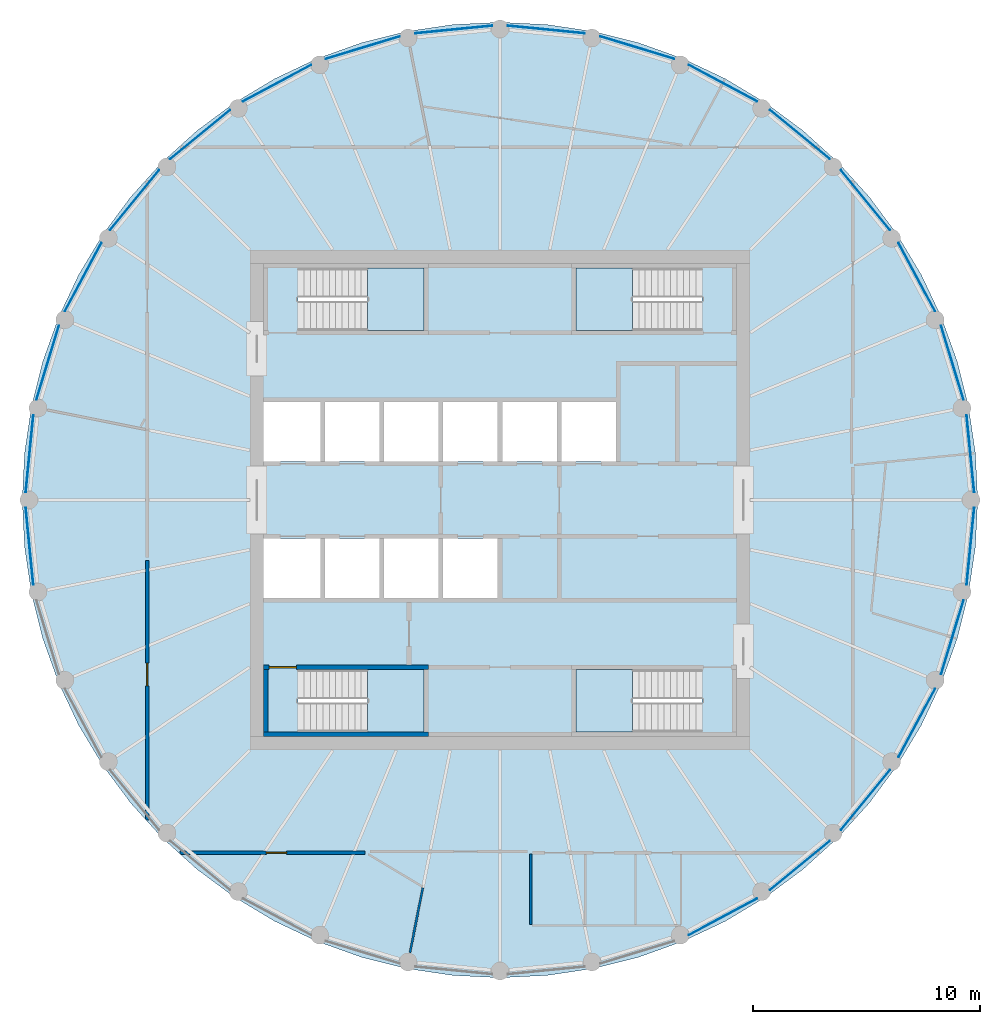
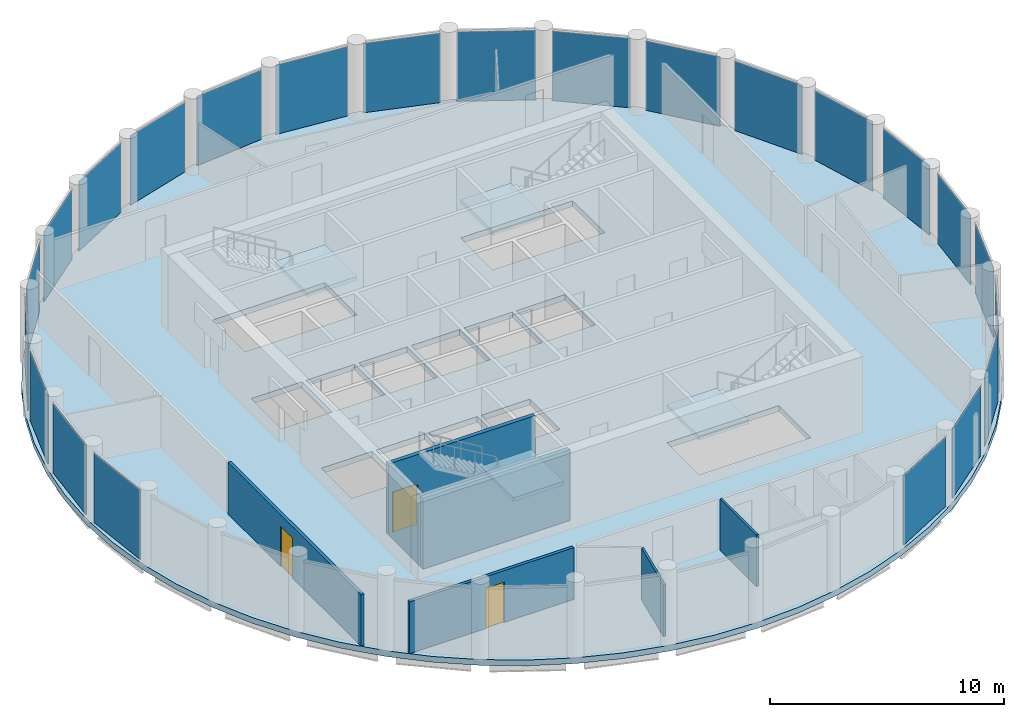
# One storey, part 3 of 7: 23 plates, 7 walls, 5 slabs, 3 doors, 3 openings, 27 elements without a shape of their own.
"""IFC4 building model written with IfcOpenShell, lengths in metres."""

import ifcopenshell
import ifcopenshell.guid

model = None  # the IFC model being written
_history = None  # IfcOwnerHistory: only IFC2X3 demands one
_inside = {}  # id of a spatial element -> (the spatial element, [elements in it])
_under = {}  # id of a project, library or spatial element -> (it, [spatial elements below it])
_declared = {}  # id of a project -> (the project, [libraries it declares])
_typed = {}  # id of a type object -> (the type object, [elements of that type])
_made_of = {}  # id of a material, layer set ... -> (it, [elements and type objects made of it])


def new_model(schema):
    """Start an empty IFC model of exactly this schema.

    Asked for "IFC4X3", IfcOpenShell would pick the latest addendum, in which some entities
    have other attributes; the version numbers below select the first issue.
    IFC2X3 requires an IfcOwnerHistory on every rooted entity: one is made here for all.
    """
    global model, _history
    if schema == "IFC4X3":
        model = ifcopenshell.file(schema_version=(4, 3, 0, 0))
    else:
        model = ifcopenshell.file(schema=schema)
    _inside.clear()
    _under.clear()
    _declared.clear()
    _typed.clear()
    _made_of.clear()
    _history = None
    if model.schema == "IFC2X3":
        org = make("IfcOrganization", Name="unknown")
        user = make(
            "IfcPersonAndOrganization",
            ThePerson=make("IfcPerson", FamilyName="unknown"),
            TheOrganization=org,
        )
        app = make(
            "IfcApplication",
            ApplicationDeveloper=org,
            Version="unknown",
            ApplicationFullName="unknown",
            ApplicationIdentifier="unknown",
        )
        _history = make(
            "IfcOwnerHistory",
            OwningUser=user,
            OwningApplication=app,
            ChangeAction="ADDED",
            CreationDate=0,
        )
    return model


def make(cls, **values):
    """One entity of the class cls with the attributes given. An attribute that is None is left unset."""
    return model.create_entity(
        cls, **{name: value for name, value in values.items() if value is not None}
    )


def rooted(cls, **values):
    """An entity with a GlobalId (a new one), such as an element, a storey or a relation."""
    return make(cls, GlobalId=ifcopenshell.guid.new(), OwnerHistory=_history, **values)


def si_unit(unit_type, name, prefix=None):
    """IfcSIUnit, for example si_unit("LENGTHUNIT", "METRE", prefix="MILLI")."""
    return make("IfcSIUnit", UnitType=unit_type, Prefix=prefix, Name=name)


def assignment(units):
    """IfcUnitAssignment: the units of a project."""
    return None if units is None else make("IfcUnitAssignment", Units=units)


def point(xyz):
    """IfcCartesianPoint."""
    return None if xyz is None else make("IfcCartesianPoint", Coordinates=xyz)


def direction(xyz):
    """IfcDirection."""
    return None if xyz is None else make("IfcDirection", DirectionRatios=xyz)


def frame(location, z_axis=None, x_axis=None):
    """IfcAxis2Placement3D, a coordinate frame: its origin and axes. An axis left out is left unset."""
    return make(
        "IfcAxis2Placement3D",
        Location=point(location),
        Axis=direction(z_axis),
        RefDirection=direction(x_axis),
    )


def frame_2d(location, x_axis=None):
    """IfcAxis2Placement2D, a coordinate frame in the plane: its origin and x axis."""
    return make(
        "IfcAxis2Placement2D", Location=point(location), RefDirection=direction(x_axis)
    )


def origin():
    """The frame at (0, 0, 0) with its axes left unset."""
    return frame((0.0, 0.0, 0.0))


def origin_2d():
    """The frame at (0, 0) in the plane with its x axis left unset."""
    return frame_2d((0.0, 0.0))


def place(relative_to, where):
    """IfcLocalPlacement: puts the frame where relative to a parent placement (None: the world)."""
    return make(
        "IfcLocalPlacement", PlacementRelTo=relative_to, RelativePlacement=where
    )


def context(
    kind, dimensions, precision=None, world=None, true_north=None, identifier=None
):
    """IfcGeometricRepresentationContext, for example the 3D "Model" context."""
    return make(
        "IfcGeometricRepresentationContext",
        ContextIdentifier=identifier,
        ContextType=kind,
        CoordinateSpaceDimension=dimensions,
        Precision=precision,
        WorldCoordinateSystem=world,
        TrueNorth=true_north,
    )


def subcontext(parent, identifier, kind, view, scale=None):
    """IfcGeometricRepresentationSubContext, for example "Body" below "Model"."""
    return make(
        "IfcGeometricRepresentationSubContext",
        ContextIdentifier=identifier,
        ContextType=kind,
        ParentContext=parent,
        TargetScale=scale,
        TargetView=view,
    )


def project(units=None, contexts=None):
    """IfcProject with its units and contexts."""
    return rooted(
        "IfcProject",
        Name="project",
        RepresentationContexts=contexts,
        UnitsInContext=assignment(units),
    )


def spatial(cls, under=None, at=None, **own):
    """A site, building, storey or space (cls), placed at a placement, below another one or the project."""
    s = rooted(cls, ObjectPlacement=at, **own)
    if under is not None:
        _under.setdefault(under.id(), (under, []))[1].append(s)
    return s


def polyline(points):
    """IfcPolyline through the points."""
    return make("IfcPolyline", Points=[point(p) for p in points])


def profile(cls, at=None, kind="AREA", **sizes):
    """A parametric profile (cls). Its sizes go by their IFC names, for example OverallWidth=200.0."""
    return make(cls, ProfileType=kind, Position=at, **sizes)


def rectangle(**sizes):
    """IfcRectangleProfileDef."""
    return profile("IfcRectangleProfileDef", **sizes)


def outline(outer, holes=None, kind="AREA"):
    """IfcArbitraryClosedProfileDef: a profile drawn as a closed curve; with holes, ...WithVoids."""
    if holes is None:
        return make("IfcArbitraryClosedProfileDef", ProfileType=kind, OuterCurve=outer)
    return make(
        "IfcArbitraryProfileDefWithVoids",
        ProfileType=kind,
        OuterCurve=outer,
        InnerCurves=holes,
    )


def extrude(swept, where, along, depth):
    """IfcExtrudedAreaSolid: the profile swept, set in the frame where, extruded along a direction by depth."""
    return make(
        "IfcExtrudedAreaSolid",
        SweptArea=swept,
        Position=where,
        ExtrudedDirection=direction(along),
        Depth=depth,
    )


def shape(context_of_items, identifier, shape_type, items):
    """IfcShapeRepresentation: the items that make up one representation, for example the "Body"."""
    return make(
        "IfcShapeRepresentation",
        ContextOfItems=context_of_items,
        RepresentationIdentifier=identifier,
        RepresentationType=shape_type,
        Items=items,
    )


def material(Name=None, Category=None):
    """IfcMaterial."""
    return make("IfcMaterial", Name=Name, Category=Category)


def layer(
    of_material, thickness, ventilated=None, Name=None, Category=None, Priority=None
):
    """IfcMaterialLayer: one layer of a wall or slab, of a material (None: an air gap)."""
    return make(
        "IfcMaterialLayer",
        Material=of_material,
        LayerThickness=thickness,
        IsVentilated=ventilated,
        Name=Name,
        Category=Category,
        Priority=Priority,
    )


def layer_set(layers, Name=None):
    """IfcMaterialLayerSet."""
    return make("IfcMaterialLayerSet", MaterialLayers=layers, LayerSetName=Name)


def made_of(thing, what):
    """Note that an element or type object is made of a material, layer set ...; save() writes the relation."""
    if what is not None:
        _made_of.setdefault(what.id(), (what, []))[1].append(thing)
    return thing


def type_object(cls, material=None, **own):
    """A type object (cls), such as IfcWallType, which elements share."""
    return made_of(rooted(cls, **own), material)


def element(
    cls,
    number,
    at=None,
    inside=None,
    cuts=None,
    type_object=None,
    material=None,
    context=None,
    identifier="Body",
    shape_type=None,
    held_by="IfcProductDefinitionShape",
    body=None,
    shapes=None,
    **own,
):
    """One element of the class cls, such as IfcWall. Its Tag is "e" and its number.

    at: its placement. inside: the storey or other place that contains it. cuts: it is an
    opening in that element (IfcRelVoidsElement). A single representation is given by context,
    identifier, shape_type and body (its items); several are given by shapes. held_by: the class
    of the entity that holds the representations. save() writes the other relations.
    """
    e = rooted(cls, Tag="e%d" % number, ObjectPlacement=at, **own)
    if body is not None:
        shapes = [shape(context, identifier, shape_type, body)]
    if shapes is not None:
        e.Representation = make(held_by, Representations=shapes)
    if inside is not None:
        _inside.setdefault(inside.id(), (inside, []))[1].append(e)
    if cuts is not None:
        rooted(
            "IfcRelVoidsElement", RelatingBuildingElement=cuts, RelatedOpeningElement=e
        )
    if type_object is not None:
        _typed.setdefault(type_object.id(), (type_object, []))[1].append(e)
    return made_of(e, material)


def fill(opening, filler):
    """IfcRelFillsElement: the door or window that sits in an opening."""
    return rooted(
        "IfcRelFillsElement",
        RelatingOpeningElement=opening,
        RelatedBuildingElement=filler,
    )


def aggregate(whole, parts):
    """IfcRelAggregates: a whole, such as a stair, and the parts it consists of."""
    return rooted("IfcRelAggregates", RelatingObject=whole, RelatedObjects=parts)


def save(model, path):
    """Write the relations noted so far, then the file.

    IfcRelAggregates (storeys below a building ...), IfcRelContainedInSpatialStructure (elements
    in a storey), IfcRelDefinesByType, IfcRelAssociatesMaterial and IfcRelDeclares: one each for
    every whole, place, type object, material and project.
    """
    for whole, parts in _under.values():
        aggregate(whole, parts)
    for where, things in _inside.values():
        rooted(
            "IfcRelContainedInSpatialStructure",
            RelatedElements=things,
            RelatingStructure=where,
        )
    for kind, things in _typed.values():
        rooted("IfcRelDefinesByType", RelatedObjects=things, RelatingType=kind)
    for what, things in _made_of.values():
        rooted("IfcRelAssociatesMaterial", RelatedObjects=things, RelatingMaterial=what)
    for by, libraries in _declared.values():
        rooted("IfcRelDeclares", RelatingContext=by, RelatedDefinitions=libraries)
    model.write(path)


model = new_model("IFC4")

# Units and contexts
model_context = context("Model", 3, precision=1e-05, world=origin(), true_north=direction((0.0, 1.0)))
body_context = subcontext(model_context, "Body", "Model", "MODEL_VIEW")
ifc_project = project(units=[si_unit("LENGTHUNIT", "METRE"), si_unit("AREAUNIT", "SQUARE_METRE"), si_unit("VOLUMEUNIT", "CUBIC_METRE"), si_unit("PLANEANGLEUNIT", "RADIAN"), si_unit("MASSUNIT", "GRAM", prefix="KILO")], contexts=[model_context])

# Site, building, storey
site_placement = place(None, origin())
site = spatial("IfcSite", under=ifc_project, at=site_placement, CompositionType="ELEMENT")
building_placement = place(site_placement, origin())
building = spatial("IfcBuilding", under=site, at=building_placement, Name="Corvane Civic Tower", CompositionType="ELEMENT")
storey_placement = place(building_placement, frame((0.0, 0.0, 336.5)))
storey = spatial("IfcBuildingStorey", under=building, at=storey_placement, Name="L80", CompositionType="ELEMENT", Elevation=336.5)

# Slab
ifc_material_1 = material(Name="Concrete C40/50", Category="concrete")
ifc_layer_1 = layer(ifc_material_1, 0.300048828125)
ifc_layer_set_1 = layer_set([ifc_layer_1], Name="Concrete C40/50")
slab_type_1 = type_object("IfcSlabType", Name="FLOOR SLAB 300", PredefinedType="FLOOR", material=ifc_layer_set_1)
slab_1_placement = place(storey_placement, frame((0.0, 0.0, -0.300048828125)))
element("IfcSlab", 1, at=slab_1_placement, inside=storey, type_object=slab_type_1, Name="SLB-L80", PredefinedType="FLOOR", context=body_context, shape_type="SweptSolid", body=[
    extrude(outline(polyline([(0.0, 21.0), (-2.058349609375, 20.89892578125), (-4.096923828125, 20.596435546875), (-6.095947265625, 20.095703125), (-8.036376953125, 19.4013671875), (-9.8994140625, 18.520263671875), (-11.6669921875, 17.4609375), (-13.322265625, 16.233154296875), (-14.84912109375, 14.84912109375), (-16.233154296875, 13.322265625), (-17.4609375, 11.6669921875), (-18.520263671875, 9.8994140625), (-19.4013671875, 8.036376953125), (-20.095703125, 6.095947265625), (-20.596435546875, 4.096923828125), (-20.89892578125, 2.058349609375), (-21.0, 0.0), (-20.89892578125, -2.058349609375), (-20.596435546875, -4.096923828125), (-20.095703125, -6.095947265625), (-19.4013671875, -8.036376953125), (-18.520263671875, -9.8994140625), (-17.4609375, -11.6669921875), (-16.233154296875, -13.322265625), (-14.84912109375, -14.84912109375), (-13.322265625, -16.233154296875), (-11.6669921875, -17.4609375), (-9.8994140625, -18.520263671875), (-8.036376953125, -19.4013671875), (-6.095947265625, -20.095703125), (-4.096923828125, -20.596435546875), (-2.058349609375, -20.89892578125), (0.0, -21.0), (2.058349609375, -20.89892578125), (4.096923828125, -20.596435546875), (6.095947265625, -20.095703125), (8.036376953125, -19.4013671875), (9.8994140625, -18.520263671875), (11.6669921875, -17.4609375), (13.322265625, -16.233154296875), (14.84912109375, -14.84912109375), (16.233154296875, -13.322265625), (17.4609375, -11.6669921875), (18.520263671875, -9.8994140625), (19.4013671875, -8.036376953125), (20.095703125, -6.095947265625), (20.596435546875, -4.096923828125), (20.89892578125, -2.058349609375), (21.0, 0.0), (20.89892578125, 2.058349609375), (20.596435546875, 4.096923828125), (20.095703125, 6.095947265625), (19.4013671875, 8.036376953125), (18.520263671875, 9.8994140625), (17.4609375, 11.6669921875), (16.233154296875, 13.322265625), (14.84912109375, 14.84912109375), (13.322265625, 16.233154296875), (11.6669921875, 17.4609375), (9.8994140625, 18.520263671875), (8.036376953125, 19.4013671875), (6.095947265625, 20.095703125), (4.096923828125, 20.596435546875), (2.058349609375, 20.89892578125), (0.0, 21.0)]), holes=[polyline([(-10.39990234375, 4.300048828125), (-7.89990234375, 4.300048828125), (-7.89990234375, 1.699951171875), (-10.39990234375, 1.699951171875), (-10.39990234375, 4.300048828125)]), polyline([(-5.300048828125, 1.699951171875), (-7.699951171875, 1.699951171875), (-7.699951171875, 4.300048828125), (-5.300048828125, 4.300048828125), (-5.300048828125, 1.699951171875)]), polyline([(-5.10009765625, 4.300048828125), (-2.699951171875, 4.300048828125), (-2.699951171875, 1.699951171875), (-5.10009765625, 1.699951171875), (-5.10009765625, 4.300048828125)]), polyline([(-0.10009765625, 1.699951171875), (-2.5, 1.699951171875), (-2.5, 4.300048828125), (-0.10009765625, 4.300048828125), (-0.10009765625, 1.699951171875)]), polyline([(2.5, 1.699951171875), (0.10009765625, 1.699951171875), (0.10009765625, 4.300048828125), (2.5, 4.300048828125), (2.5, 1.699951171875)]), polyline([(2.699951171875, 4.300048828125), (5.10009765625, 4.300048828125), (5.10009765625, 1.699951171875), (2.699951171875, 1.699951171875), (2.699951171875, 4.300048828125)]), polyline([(-10.39990234375, -1.699951171875), (-7.89990234375, -1.699951171875), (-7.89990234375, -4.300048828125), (-10.39990234375, -4.300048828125), (-10.39990234375, -1.699951171875)]), polyline([(-5.300048828125, -1.699951171875), (-5.300048828125, -4.300048828125), (-7.699951171875, -4.300048828125), (-7.699951171875, -1.699951171875), (-5.300048828125, -1.699951171875)]), polyline([(-2.699951171875, -1.699951171875), (-2.699951171875, -4.300048828125), (-5.10009765625, -4.300048828125), (-5.10009765625, -1.699951171875), (-2.699951171875, -1.699951171875)]), polyline([(-2.5, -4.300048828125), (-2.5, -1.699951171875), (-0.10009765625, -1.699951171875), (-0.10009765625, -4.300048828125), (-2.5, -4.300048828125)]), polyline([(8.889892578125, 10.199951171875), (8.889892578125, 7.449951171875), (3.35009765625, 7.449951171875), (3.35009765625, 10.199951171875), (8.889892578125, 10.199951171875)]), polyline([(-8.889892578125, 7.449951171875), (-8.889892578125, 10.199951171875), (-3.35009765625, 10.199951171875), (-3.35009765625, 7.449951171875), (-8.889892578125, 7.449951171875)]), polyline([(8.889892578125, -7.449951171875), (8.889892578125, -10.199951171875), (3.35009765625, -10.199951171875), (3.35009765625, -7.449951171875), (8.889892578125, -7.449951171875)]), polyline([(-8.889892578125, -10.199951171875), (-8.889892578125, -7.449951171875), (-3.35009765625, -7.449951171875), (-3.35009765625, -10.199951171875), (-8.889892578125, -10.199951171875)])]), origin(), (0.0, 0.0, 1.0), 0.300048828125),
])

# Stair, slab
ifc_material_2 = material(Name="Concrete C40/50", Category="concrete")
stair_type = type_object("IfcStairType", Name="ST-STAIR-HALFTURN", PredefinedType="HALF_TURN_STAIR", material=ifc_material_2)
stair_1_placement = place(storey_placement, origin())
stair_1 = element("IfcStair", 2, at=stair_1_placement, inside=storey, type_object=stair_type, Name="L80 Exit stair ST1", PredefinedType="HALF_TURN_STAIR")
ifc_material_3 = material(Name="Concrete C40/50", Category="concrete")
ifc_layer_2 = layer(ifc_material_3, 0.199951171875)
ifc_layer_set_2 = layer_set([ifc_layer_2], Name="Concrete C40/50")
slab_type_2 = type_object("IfcSlabType", Name="ST-LANDING-RC", PredefinedType="LANDING", material=ifc_layer_set_2)
slab_2_placement = place(storey_placement, frame((0.0, 0.0, 1.800048828125)))
slab_2 = element("IfcSlab", 3, at=slab_2_placement, type_object=slab_type_2, Name="ST1 landing 1", PredefinedType="LANDING", context=body_context, shape_type="SweptSolid", body=[
    extrude(outline(polyline([(5.820068359375, 10.199951171875), (3.35009765625, 10.199951171875), (3.35009765625, 7.449951171875), (5.820068359375, 7.449951171875), (5.820068359375, 10.199951171875)])), origin(), (0.0, 0.0, 1.0), 0.199951171875),
])
aggregate(stair_1, [slab_2])

stair_2_placement = place(storey_placement, origin())
stair_2 = element("IfcStair", 4, at=stair_2_placement, inside=storey, type_object=stair_type, Name="L80 Exit stair ST2", PredefinedType="HALF_TURN_STAIR")
slab_3_placement = place(storey_placement, frame((0.0, 0.0, 1.800048828125)))
slab_3 = element("IfcSlab", 5, at=slab_3_placement, type_object=slab_type_2, Name="ST2 landing 1", PredefinedType="LANDING", context=body_context, shape_type="SweptSolid", body=[
    extrude(outline(polyline([(5.820068359375, -7.449951171875), (3.35009765625, -7.449951171875), (3.35009765625, -10.199951171875), (5.820068359375, -10.199951171875), (5.820068359375, -7.449951171875)])), origin(), (0.0, 0.0, 1.0), 0.199951171875),
])
aggregate(stair_2, [slab_3])

stair_3_placement = place(storey_placement, origin())
stair_3 = element("IfcStair", 6, at=stair_3_placement, inside=storey, type_object=stair_type, Name="L80 Exit stair ST3", PredefinedType="HALF_TURN_STAIR")
slab_4_placement = place(storey_placement, frame((0.0, 0.0, 1.800048828125)))
slab_4 = element("IfcSlab", 7, at=slab_4_placement, type_object=slab_type_2, Name="ST3 landing 1", PredefinedType="LANDING", context=body_context, shape_type="SweptSolid", body=[
    extrude(outline(polyline([(-5.820068359375, -10.199951171875), (-3.35009765625, -10.199951171875), (-3.35009765625, -7.449951171875), (-5.820068359375, -7.449951171875), (-5.820068359375, -10.199951171875)])), origin(), (0.0, 0.0, 1.0), 0.199951171875),
])
aggregate(stair_3, [slab_4])

stair_4_placement = place(storey_placement, origin())
stair_4 = element("IfcStair", 8, at=stair_4_placement, inside=storey, type_object=stair_type, Name="L80 Exit stair ST4", PredefinedType="HALF_TURN_STAIR")
slab_5_placement = place(storey_placement, frame((0.0, 0.0, 1.800048828125)))
slab_5 = element("IfcSlab", 9, at=slab_5_placement, type_object=slab_type_2, Name="ST4 landing 1", PredefinedType="LANDING", context=body_context, shape_type="SweptSolid", body=[
    extrude(outline(polyline([(-5.820068359375, 7.449951171875), (-3.35009765625, 7.449951171875), (-3.35009765625, 10.199951171875), (-5.820068359375, 10.199951171875), (-5.820068359375, 7.449951171875)])), origin(), (0.0, 0.0, 1.0), 0.199951171875),
])
aggregate(stair_4, [slab_5])

# Curtain wall, plate
ifc_material_4 = material(Name="Anodised aluminium bronze", Category="aluminium")
curtain_wall_type = type_object("IfcCurtainWallType", Name="TOWER CW-T3 STICK CURTAIN WALL", PredefinedType="NOTDEFINED", material=ifc_material_4)
curtain_wall_1_placement = place(storey_placement, origin())
curtain_wall_1 = element("IfcCurtainWall", 10, at=curtain_wall_1_placement, inside=storey, type_object=curtain_wall_type, Name="Curtain wall CW-T3 L80 bay 01", PredefinedType="NOTDEFINED")
ifc_material_5 = material(Name="Tinted glass", Category="glass")
ifc_layer_3 = layer(ifc_material_5, 0.028076171875)
ifc_layer_set_3 = layer_set([ifc_layer_3], Name="Tinted glass")
plate_type = type_object("IfcPlateType", Name="TOWER CW-T3 PANEL IGU28", PredefinedType="CURTAIN_PANEL", material=ifc_layer_set_3)
plate_1_placement = place(storey_placement, frame((2.03662109375, 20.679443359375, 0.0), z_axis=(0.0, 0.0, 1.0), x_axis=(0.995186641028, -0.097997701601, 0.0)))
plate_1 = element("IfcPlate", 11, at=plate_1_placement, type_object=plate_type, Name="Glass panel CW-T3 L80 01.1", PredefinedType="CURTAIN_PANEL", context=body_context, shape_type="SweptSolid", body=[
    extrude(rectangle(XDim=3.402587890625, YDim=0.028076171875, at=origin_2d()), origin(), (0.0, 0.0, 1.0), 3.6298828125),
])
aggregate(curtain_wall_1, [plate_1])

curtain_wall_2_placement = place(storey_placement, origin())
curtain_wall_2 = element("IfcCurtainWall", 12, at=curtain_wall_2_placement, inside=storey, type_object=curtain_wall_type, Name="Curtain wall CW-T3 L80 bay 02", PredefinedType="NOTDEFINED")
plate_2_placement = place(storey_placement, frame((6.031982421875, 19.884765625, 0.0), z_axis=(0.0, 0.0, 1.0), x_axis=(0.956938582641, -0.290290456359, 0.0)))
plate_2 = element("IfcPlate", 13, at=plate_2_placement, type_object=plate_type, Name="Glass panel CW-T3 L80 02.1", PredefinedType="CURTAIN_PANEL", context=body_context, shape_type="SweptSolid", body=[
    extrude(rectangle(XDim=3.40283203125, YDim=0.028076171875, at=origin_2d()), origin(), (0.0, 0.0, 1.0), 3.6298828125),
])
aggregate(curtain_wall_2, [plate_2])

curtain_wall_3_placement = place(storey_placement, origin())
curtain_wall_3 = element("IfcCurtainWall", 14, at=curtain_wall_3_placement, inside=storey, type_object=curtain_wall_type, Name="Curtain wall CW-T3 L80 bay 03", PredefinedType="NOTDEFINED")
plate_3_placement = place(storey_placement, frame((9.79541015625, 18.325927734375, 0.0), z_axis=(0.0, 0.0, 1.0), x_axis=(0.88192824848, -0.471383670202, 0.0)))
plate_3 = element("IfcPlate", 15, at=plate_3_placement, type_object=plate_type, Name="Glass panel CW-T3 L80 03.1", PredefinedType="CURTAIN_PANEL", context=body_context, shape_type="SweptSolid", body=[
    extrude(rectangle(XDim=3.40234375, YDim=0.028076171875, at=origin_2d()), origin(), (0.0, 0.0, 1.0), 3.6298828125),
])
aggregate(curtain_wall_3, [plate_3])

curtain_wall_4_placement = place(storey_placement, origin())
curtain_wall_4 = element("IfcCurtainWall", 16, at=curtain_wall_4_placement, inside=storey, type_object=curtain_wall_type, Name="Curtain wall CW-T3 L80 bay 04", PredefinedType="NOTDEFINED")
plate_4_placement = place(storey_placement, frame((13.182373046875, 16.062744140625, 0.0), z_axis=(0.0, 0.0, 1.0), x_axis=(0.773010369391, -0.634393386484, 0.0)))
plate_4 = element("IfcPlate", 17, at=plate_4_placement, type_object=plate_type, Name="Glass panel CW-T3 L80 04.1", PredefinedType="CURTAIN_PANEL", context=body_context, shape_type="SweptSolid", body=[
    extrude(rectangle(XDim=3.402587890625, YDim=0.028076171875, at=origin_2d()), origin(), (0.0, 0.0, 1.0), 3.6298828125),
])
aggregate(curtain_wall_4, [plate_4])

curtain_wall_5_placement = place(storey_placement, origin())
curtain_wall_5 = element("IfcCurtainWall", 18, at=curtain_wall_5_placement, inside=storey, type_object=curtain_wall_type, Name="Curtain wall CW-T3 L80 bay 05", PredefinedType="NOTDEFINED")
plate_5_placement = place(storey_placement, frame((16.062744140625, 13.182373046875, 0.0), z_axis=(0.0, 0.0, 1.0), x_axis=(0.634393386484, -0.773010369391, 0.0)))
plate_5 = element("IfcPlate", 19, at=plate_5_placement, type_object=plate_type, Name="Glass panel CW-T3 L80 05.1", PredefinedType="CURTAIN_PANEL", context=body_context, shape_type="SweptSolid", body=[
    extrude(rectangle(XDim=3.402587890625, YDim=0.028076171875, at=origin_2d()), origin(), (0.0, 0.0, 1.0), 3.6298828125),
])
aggregate(curtain_wall_5, [plate_5])

curtain_wall_6_placement = place(storey_placement, origin())
curtain_wall_6 = element("IfcCurtainWall", 20, at=curtain_wall_6_placement, inside=storey, type_object=curtain_wall_type, Name="Curtain wall CW-T3 L80 bay 06", PredefinedType="NOTDEFINED")
plate_6_placement = place(storey_placement, frame((18.325927734375, 9.79541015625, 0.0), z_axis=(0.0, 0.0, 1.0), x_axis=(0.471383670202, -0.88192824848, 0.0)))
plate_6 = element("IfcPlate", 21, at=plate_6_placement, type_object=plate_type, Name="Glass panel CW-T3 L80 06.1", PredefinedType="CURTAIN_PANEL", context=body_context, shape_type="SweptSolid", body=[
    extrude(rectangle(XDim=3.40234375, YDim=0.028076171875, at=origin_2d()), origin(), (0.0, 0.0, 1.0), 3.6298828125),
])
aggregate(curtain_wall_6, [plate_6])

curtain_wall_7_placement = place(storey_placement, origin())
curtain_wall_7 = element("IfcCurtainWall", 22, at=curtain_wall_7_placement, inside=storey, type_object=curtain_wall_type, Name="Curtain wall CW-T3 L80 bay 07", PredefinedType="NOTDEFINED")
plate_7_placement = place(storey_placement, frame((19.884765625, 6.031982421875, 0.0), z_axis=(0.0, 0.0, 1.0), x_axis=(0.290290456359, -0.956938582641, 0.0)))
plate_7 = element("IfcPlate", 23, at=plate_7_placement, type_object=plate_type, Name="Glass panel CW-T3 L80 07.1", PredefinedType="CURTAIN_PANEL", context=body_context, shape_type="SweptSolid", body=[
    extrude(rectangle(XDim=3.40283203125, YDim=0.028076171875, at=origin_2d()), origin(), (0.0, 0.0, 1.0), 3.6298828125),
])
aggregate(curtain_wall_7, [plate_7])

curtain_wall_8_placement = place(storey_placement, origin())
curtain_wall_8 = element("IfcCurtainWall", 24, at=curtain_wall_8_placement, inside=storey, type_object=curtain_wall_type, Name="Curtain wall CW-T3 L80 bay 08", PredefinedType="NOTDEFINED")
plate_8_placement = place(storey_placement, frame((20.679443359375, 2.03662109375, 0.0), z_axis=(0.0, 0.0, 1.0), x_axis=(0.097997701601, -0.995186641028, 0.0)))
plate_8 = element("IfcPlate", 25, at=plate_8_placement, type_object=plate_type, Name="Glass panel CW-T3 L80 08.1", PredefinedType="CURTAIN_PANEL", context=body_context, shape_type="SweptSolid", body=[
    extrude(rectangle(XDim=3.402587890625, YDim=0.028076171875, at=origin_2d()), origin(), (0.0, 0.0, 1.0), 3.6298828125),
])
aggregate(curtain_wall_8, [plate_8])

curtain_wall_9_placement = place(storey_placement, origin())
curtain_wall_9 = element("IfcCurtainWall", 26, at=curtain_wall_9_placement, inside=storey, type_object=curtain_wall_type, Name="Curtain wall CW-T3 L80 bay 09", PredefinedType="NOTDEFINED")
plate_9_placement = place(storey_placement, frame((20.679443359375, -2.03662109375, 0.0), z_axis=(0.0, 0.0, 1.0), x_axis=(-0.097997701601, -0.995186641028, 0.0)))
plate_9 = element("IfcPlate", 27, at=plate_9_placement, type_object=plate_type, Name="Glass panel CW-T3 L80 09.1", PredefinedType="CURTAIN_PANEL", context=body_context, shape_type="SweptSolid", body=[
    extrude(rectangle(XDim=3.402587890625, YDim=0.028076171875, at=origin_2d()), origin(), (0.0, 0.0, 1.0), 3.6298828125),
])
aggregate(curtain_wall_9, [plate_9])

curtain_wall_10_placement = place(storey_placement, origin())
curtain_wall_10 = element("IfcCurtainWall", 28, at=curtain_wall_10_placement, inside=storey, type_object=curtain_wall_type, Name="Curtain wall CW-T3 L80 bay 10", PredefinedType="NOTDEFINED")
plate_10_placement = place(storey_placement, frame((19.884765625, -6.031982421875, 0.0), z_axis=(0.0, 0.0, 1.0), x_axis=(-0.290290456359, -0.956938582641, 0.0)))
plate_10 = element("IfcPlate", 29, at=plate_10_placement, type_object=plate_type, Name="Glass panel CW-T3 L80 10.1", PredefinedType="CURTAIN_PANEL", context=body_context, shape_type="SweptSolid", body=[
    extrude(rectangle(XDim=3.40283203125, YDim=0.028076171875, at=origin_2d()), origin(), (0.0, 0.0, 1.0), 3.6298828125),
])
aggregate(curtain_wall_10, [plate_10])

curtain_wall_11_placement = place(storey_placement, origin())
curtain_wall_11 = element("IfcCurtainWall", 30, at=curtain_wall_11_placement, inside=storey, type_object=curtain_wall_type, Name="Curtain wall CW-T3 L80 bay 11", PredefinedType="NOTDEFINED")
plate_11_placement = place(storey_placement, frame((18.325927734375, -9.79541015625, 0.0), z_axis=(0.0, 0.0, 1.0), x_axis=(-0.471383670202, -0.88192824848, 0.0)))
plate_11 = element("IfcPlate", 31, at=plate_11_placement, type_object=plate_type, Name="Glass panel CW-T3 L80 11.1", PredefinedType="CURTAIN_PANEL", context=body_context, shape_type="SweptSolid", body=[
    extrude(rectangle(XDim=3.40234375, YDim=0.028076171875, at=origin_2d()), origin(), (0.0, 0.0, 1.0), 3.6298828125),
])
aggregate(curtain_wall_11, [plate_11])

curtain_wall_12_placement = place(storey_placement, origin())
curtain_wall_12 = element("IfcCurtainWall", 32, at=curtain_wall_12_placement, inside=storey, type_object=curtain_wall_type, Name="Curtain wall CW-T3 L80 bay 12", PredefinedType="NOTDEFINED")
plate_12_placement = place(storey_placement, frame((16.062744140625, -13.182373046875, 0.0), z_axis=(0.0, 0.0, 1.0), x_axis=(-0.634393386484, -0.773010369391, 0.0)))
plate_12 = element("IfcPlate", 33, at=plate_12_placement, type_object=plate_type, Name="Glass panel CW-T3 L80 12.1", PredefinedType="CURTAIN_PANEL", context=body_context, shape_type="SweptSolid", body=[
    extrude(rectangle(XDim=3.402587890625, YDim=0.028076171875, at=origin_2d()), origin(), (0.0, 0.0, 1.0), 3.6298828125),
])
aggregate(curtain_wall_12, [plate_12])

curtain_wall_13_placement = place(storey_placement, origin())
curtain_wall_13 = element("IfcCurtainWall", 34, at=curtain_wall_13_placement, inside=storey, type_object=curtain_wall_type, Name="Curtain wall CW-T3 L80 bay 13", PredefinedType="NOTDEFINED")
plate_13_placement = place(storey_placement, frame((13.182373046875, -16.062744140625, 0.0), z_axis=(0.0, 0.0, 1.0), x_axis=(-0.773010369391, -0.634393386484, 0.0)))
plate_13 = element("IfcPlate", 35, at=plate_13_placement, type_object=plate_type, Name="Glass panel CW-T3 L80 13.1", PredefinedType="CURTAIN_PANEL", context=body_context, shape_type="SweptSolid", body=[
    extrude(rectangle(XDim=3.402587890625, YDim=0.028076171875, at=origin_2d()), origin(), (0.0, 0.0, 1.0), 3.6298828125),
])
aggregate(curtain_wall_13, [plate_13])

curtain_wall_14_placement = place(storey_placement, origin())
curtain_wall_14 = element("IfcCurtainWall", 36, at=curtain_wall_14_placement, inside=storey, type_object=curtain_wall_type, Name="Curtain wall CW-T3 L80 bay 14", PredefinedType="NOTDEFINED")
plate_14_placement = place(storey_placement, frame((9.79541015625, -18.325927734375, 0.0), z_axis=(0.0, 0.0, 1.0), x_axis=(-0.88192824848, -0.471383670202, 0.0)))
plate_14 = element("IfcPlate", 37, at=plate_14_placement, type_object=plate_type, Name="Glass panel CW-T3 L80 14.1", PredefinedType="CURTAIN_PANEL", context=body_context, shape_type="SweptSolid", body=[
    extrude(rectangle(XDim=3.40234375, YDim=0.028076171875, at=origin_2d()), origin(), (0.0, 0.0, 1.0), 3.6298828125),
])
aggregate(curtain_wall_14, [plate_14])

curtain_wall_15_placement = place(storey_placement, origin())
curtain_wall_15 = element("IfcCurtainWall", 38, at=curtain_wall_15_placement, inside=storey, type_object=curtain_wall_type, Name="Curtain wall CW-T3 L80 bay 24", PredefinedType="NOTDEFINED")
plate_15_placement = place(storey_placement, frame((-20.679443359375, -2.03662109375, 0.0), z_axis=(0.0, 0.0, 1.0), x_axis=(-0.097997701601, 0.995186641028, 0.0)))
plate_15 = element("IfcPlate", 39, at=plate_15_placement, type_object=plate_type, Name="Glass panel CW-T3 L80 24.1", PredefinedType="CURTAIN_PANEL", context=body_context, shape_type="SweptSolid", body=[
    extrude(rectangle(XDim=3.402587890625, YDim=0.028076171875, at=origin_2d()), origin(), (0.0, 0.0, 1.0), 3.6298828125),
])
aggregate(curtain_wall_15, [plate_15])

curtain_wall_16_placement = place(storey_placement, origin())
curtain_wall_16 = element("IfcCurtainWall", 40, at=curtain_wall_16_placement, inside=storey, type_object=curtain_wall_type, Name="Curtain wall CW-T3 L80 bay 25", PredefinedType="NOTDEFINED")
plate_16_placement = place(storey_placement, frame((-20.679443359375, 2.03662109375, 0.0), z_axis=(0.0, 0.0, 1.0), x_axis=(0.097997701601, 0.995186641028, 0.0)))
plate_16 = element("IfcPlate", 41, at=plate_16_placement, type_object=plate_type, Name="Glass panel CW-T3 L80 25.1", PredefinedType="CURTAIN_PANEL", context=body_context, shape_type="SweptSolid", body=[
    extrude(rectangle(XDim=3.402587890625, YDim=0.028076171875, at=origin_2d()), origin(), (0.0, 0.0, 1.0), 3.6298828125),
])
aggregate(curtain_wall_16, [plate_16])

curtain_wall_17_placement = place(storey_placement, origin())
curtain_wall_17 = element("IfcCurtainWall", 42, at=curtain_wall_17_placement, inside=storey, type_object=curtain_wall_type, Name="Curtain wall CW-T3 L80 bay 26", PredefinedType="NOTDEFINED")
plate_17_placement = place(storey_placement, frame((-19.884765625, 6.031982421875, 0.0), z_axis=(0.0, 0.0, 1.0), x_axis=(0.290290456359, 0.956938582641, 0.0)))
plate_17 = element("IfcPlate", 43, at=plate_17_placement, type_object=plate_type, Name="Glass panel CW-T3 L80 26.1", PredefinedType="CURTAIN_PANEL", context=body_context, shape_type="SweptSolid", body=[
    extrude(rectangle(XDim=3.40283203125, YDim=0.028076171875, at=origin_2d()), origin(), (0.0, 0.0, 1.0), 3.6298828125),
])
aggregate(curtain_wall_17, [plate_17])

curtain_wall_18_placement = place(storey_placement, origin())
curtain_wall_18 = element("IfcCurtainWall", 44, at=curtain_wall_18_placement, inside=storey, type_object=curtain_wall_type, Name="Curtain wall CW-T3 L80 bay 27", PredefinedType="NOTDEFINED")
plate_18_placement = place(storey_placement, frame((-18.325927734375, 9.79541015625, 0.0), z_axis=(0.0, 0.0, 1.0), x_axis=(0.471383670202, 0.88192824848, 0.0)))
plate_18 = element("IfcPlate", 45, at=plate_18_placement, type_object=plate_type, Name="Glass panel CW-T3 L80 27.1", PredefinedType="CURTAIN_PANEL", context=body_context, shape_type="SweptSolid", body=[
    extrude(rectangle(XDim=3.40234375, YDim=0.028076171875, at=origin_2d()), origin(), (0.0, 0.0, 1.0), 3.6298828125),
])
aggregate(curtain_wall_18, [plate_18])

curtain_wall_19_placement = place(storey_placement, origin())
curtain_wall_19 = element("IfcCurtainWall", 46, at=curtain_wall_19_placement, inside=storey, type_object=curtain_wall_type, Name="Curtain wall CW-T3 L80 bay 28", PredefinedType="NOTDEFINED")
plate_19_placement = place(storey_placement, frame((-16.062744140625, 13.182373046875, 0.0), z_axis=(0.0, 0.0, 1.0), x_axis=(0.634393386484, 0.773010369391, 0.0)))
plate_19 = element("IfcPlate", 47, at=plate_19_placement, type_object=plate_type, Name="Glass panel CW-T3 L80 28.1", PredefinedType="CURTAIN_PANEL", context=body_context, shape_type="SweptSolid", body=[
    extrude(rectangle(XDim=3.402587890625, YDim=0.028076171875, at=origin_2d()), origin(), (0.0, 0.0, 1.0), 3.6298828125),
])
aggregate(curtain_wall_19, [plate_19])

curtain_wall_20_placement = place(storey_placement, origin())
curtain_wall_20 = element("IfcCurtainWall", 48, at=curtain_wall_20_placement, inside=storey, type_object=curtain_wall_type, Name="Curtain wall CW-T3 L80 bay 29", PredefinedType="NOTDEFINED")
plate_20_placement = place(storey_placement, frame((-13.182373046875, 16.062744140625, 0.0), z_axis=(0.0, 0.0, 1.0), x_axis=(0.773010369391, 0.634393386484, 0.0)))
plate_20 = element("IfcPlate", 49, at=plate_20_placement, type_object=plate_type, Name="Glass panel CW-T3 L80 29.1", PredefinedType="CURTAIN_PANEL", context=body_context, shape_type="SweptSolid", body=[
    extrude(rectangle(XDim=3.402587890625, YDim=0.028076171875, at=origin_2d()), origin(), (0.0, 0.0, 1.0), 3.6298828125),
])
aggregate(curtain_wall_20, [plate_20])

curtain_wall_21_placement = place(storey_placement, origin())
curtain_wall_21 = element("IfcCurtainWall", 50, at=curtain_wall_21_placement, inside=storey, type_object=curtain_wall_type, Name="Curtain wall CW-T3 L80 bay 30", PredefinedType="NOTDEFINED")
plate_21_placement = place(storey_placement, frame((-9.79541015625, 18.325927734375, 0.0), z_axis=(0.0, 0.0, 1.0), x_axis=(0.88192824848, 0.471383670202, 0.0)))
plate_21 = element("IfcPlate", 51, at=plate_21_placement, type_object=plate_type, Name="Glass panel CW-T3 L80 30.1", PredefinedType="CURTAIN_PANEL", context=body_context, shape_type="SweptSolid", body=[
    extrude(rectangle(XDim=3.40234375, YDim=0.028076171875, at=origin_2d()), origin(), (0.0, 0.0, 1.0), 3.6298828125),
])
aggregate(curtain_wall_21, [plate_21])

curtain_wall_22_placement = place(storey_placement, origin())
curtain_wall_22 = element("IfcCurtainWall", 52, at=curtain_wall_22_placement, inside=storey, type_object=curtain_wall_type, Name="Curtain wall CW-T3 L80 bay 31", PredefinedType="NOTDEFINED")
plate_22_placement = place(storey_placement, frame((-6.031982421875, 19.884765625, 0.0), z_axis=(0.0, 0.0, 1.0), x_axis=(0.956938582641, 0.290290456359, 0.0)))
plate_22 = element("IfcPlate", 53, at=plate_22_placement, type_object=plate_type, Name="Glass panel CW-T3 L80 31.1", PredefinedType="CURTAIN_PANEL", context=body_context, shape_type="SweptSolid", body=[
    extrude(rectangle(XDim=3.40283203125, YDim=0.028076171875, at=origin_2d()), origin(), (0.0, 0.0, 1.0), 3.6298828125),
])
aggregate(curtain_wall_22, [plate_22])

curtain_wall_23_placement = place(storey_placement, origin())
curtain_wall_23 = element("IfcCurtainWall", 54, at=curtain_wall_23_placement, inside=storey, type_object=curtain_wall_type, Name="Curtain wall CW-T3 L80 bay 32", PredefinedType="NOTDEFINED")
plate_23_placement = place(storey_placement, frame((-2.03662109375, 20.679443359375, 0.0), z_axis=(0.0, 0.0, 1.0), x_axis=(0.995186641028, 0.097997701601, 0.0)))
plate_23 = element("IfcPlate", 55, at=plate_23_placement, type_object=plate_type, Name="Glass panel CW-T3 L80 32.1", PredefinedType="CURTAIN_PANEL", context=body_context, shape_type="SweptSolid", body=[
    extrude(rectangle(XDim=3.402587890625, YDim=0.028076171875, at=origin_2d()), origin(), (0.0, 0.0, 1.0), 3.6298828125),
])
aggregate(curtain_wall_23, [plate_23])

# Walls
ifc_material_6 = material(Name="Plasterboard")
ifc_layer_4 = layer(ifc_material_6, 0.10009765625)
ifc_layer_set_4 = layer_set([ifc_layer_4], Name="Plasterboard")
wall_type_1 = type_object("IfcWallType", Name="Partition 100 plasterboard on studs", PredefinedType="PARTITIONING", material=ifc_layer_set_4)
wall_1_placement = place(storey_placement, frame((-3.95849609375, -19.900146484375, 0.0), z_axis=(0.0, 0.0, 1.0), x_axis=(0.195131501829, 0.980777088331, 0.0)))
element("IfcWall", 56, at=wall_1_placement, inside=storey, type_object=wall_type_1, Name="Partition L80.001", PredefinedType="PARTITIONING", context=body_context, shape_type="SweptSolid", body=[
    extrude(rectangle(XDim=2.908935546875, YDim=0.10009765625, at=frame_2d((1.45458984375, 0.0))), origin(), (0.0, 0.0, 1.0), 2.699951171875),
])
wall_2_placement = place(storey_placement, frame((1.353271484375, -18.64990234375, 0.0), z_axis=(0.0, 0.0, 1.0), x_axis=(0.0, 1.0, 0.0)))
element("IfcWall", 57, at=wall_2_placement, inside=storey, type_object=wall_type_1, Name="Partition L80.004", PredefinedType="PARTITIONING", context=body_context, shape_type="SweptSolid", body=[
    extrude(rectangle(XDim=3.099853515625, YDim=0.10009765625, at=frame_2d((1.5498046875, 0.0))), origin(), (0.0, 0.0, 1.0), 2.699951171875),
])

# Wall, opening, door
ifc_material_7 = material(Name="Concrete C50/60", Category="concrete")
ifc_layer_5 = layer(ifc_material_7, 0.199951171875)
ifc_layer_set_5 = layer_set([ifc_layer_5], Name="Concrete C50/60")
wall_type_2 = type_object("IfcWallType", Name="ST-WALL-200", PredefinedType="SHEAR", material=ifc_layer_set_5)
wall_3_placement = place(storey_placement, frame((-10.39990234375, -7.35009765625, 0.0), z_axis=(0.0, 0.0, 1.0), x_axis=(1.0, 0.0, 0.0)))
wall_3 = element("IfcWall", 58, at=wall_3_placement, inside=storey, type_object=wall_type_2, Name="L80 stair enclosure wall", PredefinedType="SHEAR", context=body_context, shape_type="SweptSolid", body=[
    extrude(rectangle(XDim=7.25, YDim=0.199951171875, at=frame_2d((3.625, 0.0))), origin(), (0.0, 0.0, 1.0), 3.699951171875),
])
opening_1_placement = place(wall_3_placement, frame((0.25, 0.0, 0.0)))
opening_1 = element("IfcOpeningElement", 59, at=opening_1_placement, cuts=wall_3, Name="Opening L80.C10", PredefinedType="OPENING", context=body_context, shape_type="SweptSolid", body=[
    extrude(rectangle(XDim=1.199951171875, YDim=2.10009765625, at=frame_2d((0.60009765625, 1.050048828125))), frame((0.0, 0.10986328125, 0.0), z_axis=(0.0, -1.0, 0.0), x_axis=(1.0, 0.0, 0.0)), (0.0, 0.0, 1.0), 0.219970703125),
])
ifc_material_8 = material(Name="Steel fire door leaf", Category="steel")
door_type_1 = type_object("IfcDoorType", Name="ST-DOOR-1200", OperationType="SINGLE_SWING_RIGHT", PredefinedType="DOOR", material=ifc_material_8)
door_1_placement = place(opening_1_placement, origin())
door_1 = element("IfcDoor", 60, at=door_1_placement, inside=storey, type_object=door_type_1, Name="L80 stair door", OperationType="SINGLE_SWING_RIGHT", OverallHeight=2.10009765625, OverallWidth=1.199951171875, PredefinedType="DOOR", context=body_context, shape_type="SweptSolid", body=[
    extrude(rectangle(XDim=1.199951171875, YDim=2.10009765625, at=frame_2d((0.60009765625, 1.050048828125))), frame((0.0, 0.02490234375, 0.0), z_axis=(0.0, -1.0, 0.0), x_axis=(1.0, 0.0, 0.0)), (0.0, 0.0, 1.0), 0.050048828125),
])
fill(opening_1, door_1)

# Walls
wall_4_placement = place(storey_placement, origin())
element("IfcWall", 61, at=wall_4_placement, inside=storey, type_object=wall_type_2, Name="L80 stair enclosure wall", PredefinedType="SHEAR", context=body_context, shape_type="SweptSolid", body=[
    extrude(outline(polyline([(-3.14990234375, -10.199951171875), (-3.14990234375, -10.39990234375), (-10.39990234375, -10.39990234375), (-10.39990234375, -10.199951171875), (-3.14990234375, -10.199951171875)])), origin(), (0.0, 0.0, 1.0), 3.699951171875),
])
wall_5_placement = place(storey_placement, origin())
element("IfcWall", 62, at=wall_5_placement, inside=storey, type_object=wall_type_2, Name="L80 stair enclosure wall", PredefinedType="SHEAR", context=body_context, shape_type="SweptSolid", body=[
    extrude(outline(polyline([(-10.199951171875, -7.449951171875), (-10.199951171875, -10.199951171875), (-10.39990234375, -10.199951171875), (-10.39990234375, -7.449951171875), (-10.199951171875, -7.449951171875)])), origin(), (0.0, 0.0, 1.0), 3.699951171875),
])

# Wall, opening, door
ifc_material_9 = material(Name="Plasterboard")
ifc_layer_6 = layer(ifc_material_9, 0.14990234375)
ifc_layer_set_6 = layer_set([ifc_layer_6], Name="Plasterboard")
wall_type_3 = type_object("IfcWallType", Name="Tenancy wall 150 EI 60", PredefinedType="PARTITIONING", material=ifc_layer_set_6)
wall_6_placement = place(storey_placement, frame((-14.05712890625, -15.5, 0.0), z_axis=(0.0, 0.0, 1.0), x_axis=(1.0, 0.0, 0.0)))
wall_6 = element("IfcWall", 63, at=wall_6_placement, inside=storey, type_object=wall_type_3, Name="Partition L80.008", PredefinedType="PARTITIONING", context=body_context, shape_type="SweptSolid", body=[
    extrude(rectangle(XDim=8.128662109375, YDim=0.14990234375, at=frame_2d((4.064453125, 0.0))), origin(), (0.0, 0.0, 1.0), 2.699951171875),
])
opening_2_placement = place(wall_6_placement, frame((3.783447265625, 0.0, 0.0)))
opening_2 = element("IfcOpeningElement", 64, at=opening_2_placement, cuts=wall_6, Name="Opening L80.001", PredefinedType="OPENING", context=body_context, shape_type="SweptSolid", body=[
    extrude(rectangle(XDim=0.89990234375, YDim=2.10009765625, at=frame_2d((0.449951171875, 1.050048828125))), frame((0.0, 0.0849609375, 0.0), z_axis=(0.0, -1.0, 0.0), x_axis=(1.0, 0.0, 0.0)), (0.0, 0.0, 1.0), 0.169921875),
])
ifc_material_10 = material(Name="Steel and timber", Category="steel")
door_type_2 = type_object("IfcDoorType", Name="Fire door FD30S 900", OperationType="NOTDEFINED", PredefinedType="DOOR", material=ifc_material_10)
door_2_placement = place(opening_2_placement, frame((0.89990234375, 0.0, 0.0), z_axis=(0.0, 0.0, 1.0), x_axis=(-1.0, 0.0, 0.0)))
door_2 = element("IfcDoor", 65, at=door_2_placement, inside=storey, type_object=door_type_2, Name="Door L80.001", OperationType="SINGLE_SWING_RIGHT", OverallHeight=2.10009765625, OverallWidth=0.89990234375, PredefinedType="DOOR", context=body_context, shape_type="SweptSolid", body=[
    extrude(rectangle(XDim=0.89990234375, YDim=2.10009765625, at=frame_2d((0.449951171875, 1.050048828125))), frame((0.0, 0.02490234375, 0.0), z_axis=(0.0, -1.0, 0.0), x_axis=(1.0, 0.0, 0.0)), (0.0, 0.0, 1.0), 0.050048828125),
])
fill(opening_2, door_2)

wall_7_placement = place(storey_placement, frame((-15.5, -14.05712890625, 0.0), z_axis=(0.0, 0.0, 1.0), x_axis=(0.0, 1.0, 0.0)))
wall_7 = element("IfcWall", 66, at=wall_7_placement, inside=storey, type_object=wall_type_3, Name="Partition L80.011", PredefinedType="PARTITIONING", context=body_context, shape_type="SweptSolid", body=[
    extrude(rectangle(XDim=11.402587890625, YDim=0.14990234375, at=frame_2d((5.701171875, 0.0))), origin(), (0.0, 0.0, 1.0), 2.699951171875),
])
opening_3_placement = place(wall_7_placement, frame((5.883544921875, 0.0, 0.0)))
opening_3 = element("IfcOpeningElement", 67, at=opening_3_placement, cuts=wall_7, Name="Opening L80.002", PredefinedType="OPENING", context=body_context, shape_type="SweptSolid", body=[
    extrude(rectangle(XDim=1.0, YDim=2.10009765625, at=frame_2d((0.5, 1.050048828125))), frame((0.0, 0.0849609375, 0.0), z_axis=(0.0, -1.0, 0.0), x_axis=(1.0, 0.0, 0.0)), (0.0, 0.0, 1.0), 0.169921875),
])
ifc_material_11 = material(Name="Steel and timber", Category="steel")
door_type_3 = type_object("IfcDoorType", Name="Fire door FD30S 1000", OperationType="NOTDEFINED", PredefinedType="DOOR", material=ifc_material_11)
door_3_placement = place(opening_3_placement, origin())
door_3 = element("IfcDoor", 68, at=door_3_placement, inside=storey, type_object=door_type_3, Name="Door L80.002", OperationType="SINGLE_SWING_LEFT", OverallHeight=2.10009765625, OverallWidth=1.0, PredefinedType="DOOR", context=body_context, shape_type="SweptSolid", body=[
    extrude(rectangle(XDim=1.0, YDim=2.10009765625, at=frame_2d((0.5, 1.050048828125))), frame((0.0, 0.02490234375, 0.0), z_axis=(0.0, -1.0, 0.0), x_axis=(1.0, 0.0, 0.0)), (0.0, 0.0, 1.0), 0.050048828125),
])
fill(opening_3, door_3)

save(model, "model.ifc")
